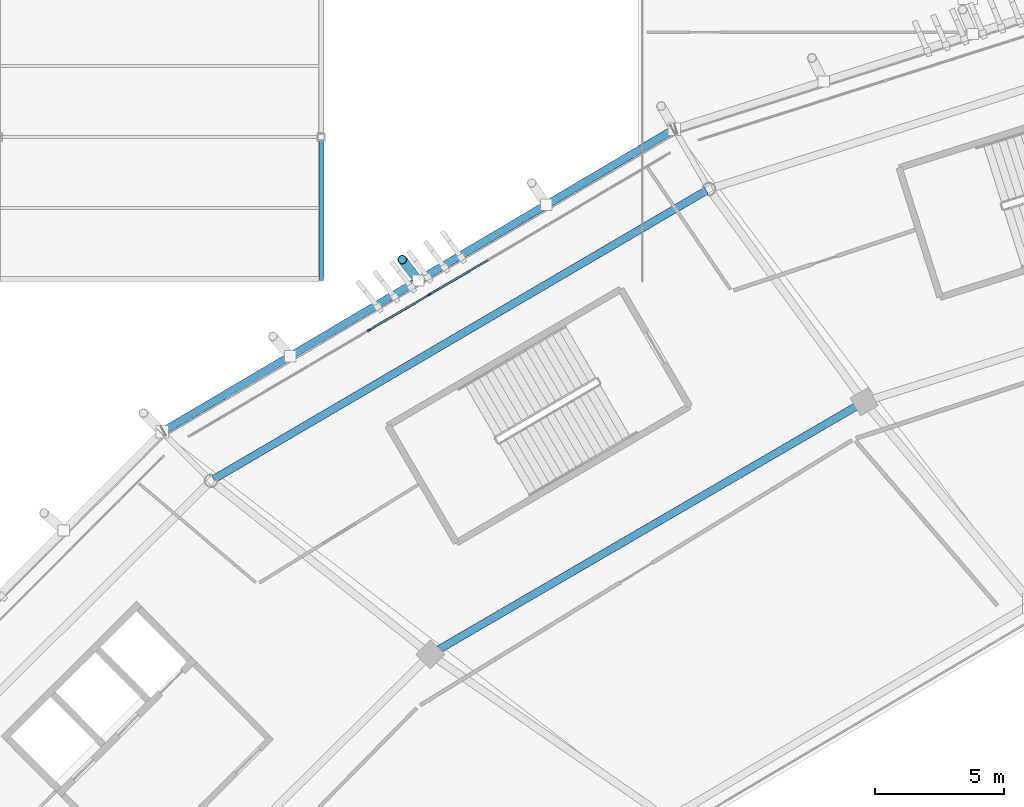
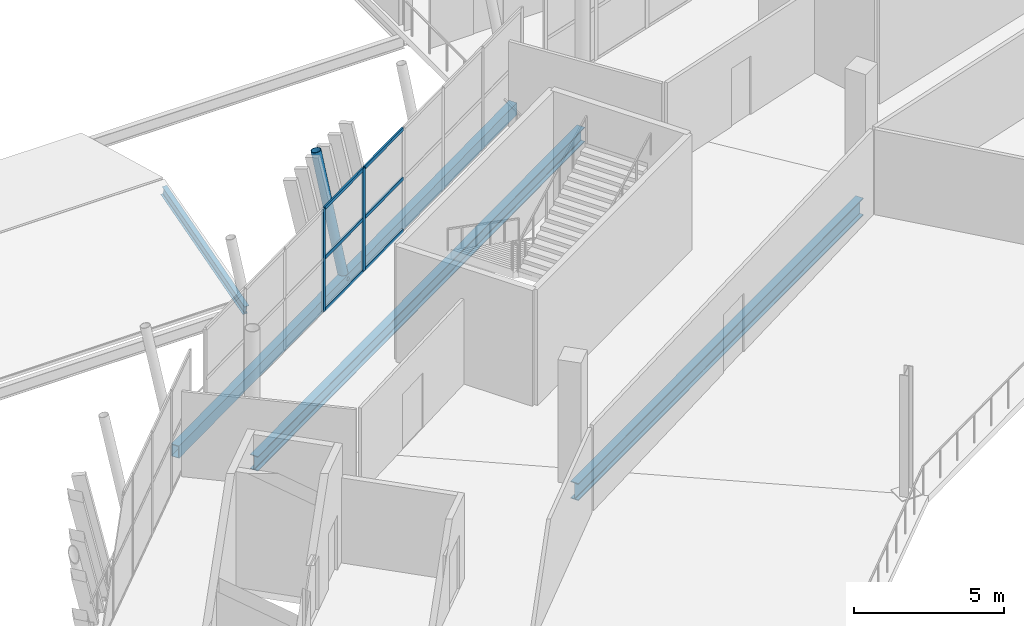
# One storey, part 71 of 179: 10 members, 3 beams, 1 element without a shape of its own.
"""IFC4 building model written with IfcOpenShell, lengths in metres."""

from ifc_helpers import new_model, si_unit, direction, frame, origin, origin_2d, place, context, subcontext, project, spatial, rectangle, hollow_rectangle, hollow_circle, i_section, extrude, material, material_profile, profile_set, type_object, element, aggregate, save


model = new_model("IFC4")

# Units and contexts
model_context = context("Model", 3, precision=1e-05, world=origin(), true_north=direction((0.0, 1.0)))
body_context = subcontext(model_context, "Body", "Model", "MODEL_VIEW")
ifc_project = project(units=[si_unit("LENGTHUNIT", "METRE"), si_unit("AREAUNIT", "SQUARE_METRE"), si_unit("VOLUMEUNIT", "CUBIC_METRE"), si_unit("PLANEANGLEUNIT", "RADIAN"), si_unit("MASSUNIT", "GRAM", prefix="KILO")], contexts=[model_context])

# Site, building, storey
site_placement = place(None, origin())
site = spatial("IfcSite", under=ifc_project, at=site_placement, CompositionType="ELEMENT")
building_placement = place(site_placement, origin())
building = spatial("IfcBuilding", under=site, at=building_placement, Name="Zlatoyarsky Gate Stadium", CompositionType="ELEMENT")
storey_placement = place(building_placement, frame((0.0, 0.0, 10.60009765625)))
storey = spatial("IfcBuildingStorey", under=building, at=storey_placement, Name="L02", CompositionType="ELEMENT", Elevation=10.60009765625)

# Curtain wall, members
ifc_material_1 = material(Name="Thermally broken anodised aluminium curtain wall", Category="aluminium")
curtain_wall_type = type_object("IfcCurtainWallType", Name="UNITISED HOSPITALITY GLAZING L02", PredefinedType="USERDEFINED", material=ifc_material_1)
curtain_wall_placement = place(storey_placement, origin())
curtain_wall = element("IfcCurtainWall", 1, at=curtain_wall_placement, inside=storey, type_object=curtain_wall_type, Name="Curtain wall CW-L02-08", ObjectType="UNITISED GLAZING", PredefinedType="USERDEFINED")
ifc_material_2 = material(Name="Anodised aluminium 6063-T6", Category="aluminium")
ifc_material_profile_1 = material_profile(ifc_material_2, rectangle(XDim=0.06494140625, YDim=0.159912109375, at=origin_2d()), Name="ALU 65X160")
ifc_profile_set_1 = profile_set([ifc_material_profile_1], Name="Anodised aluminium 6063-T6")
member_type_1 = type_object("IfcMemberType", Name="ALUMINIUM MULLION 65X160", PredefinedType="MULLION", material=ifc_profile_set_1)
member_1_placement = place(storey_placement, frame((53.677001953125, 137.400390625, 0.0), z_axis=(0.0, 0.0, 1.0), x_axis=(0.507882360945, -0.861426437626, 0.0)))
member_1 = element("IfcMember", 2, at=member_1_placement, type_object=member_type_1, Name="CW-UG2 mullion 5", PredefinedType="MULLION", context=body_context, shape_type="SweptSolid", body=[
    extrude(rectangle(XDim=0.06494140625, YDim=0.159912109375, at=origin_2d()), origin(), (0.0, 0.0, 1.0), 4.199951171875),
])
member_2_placement = place(storey_placement, frame((51.358154296875, 136.033203125, 0.0), z_axis=(0.0, 0.0, 1.0), x_axis=(0.507882360945, -0.861426437626, 0.0)))
member_2 = element("IfcMember", 3, at=member_2_placement, type_object=member_type_1, Name="CW-UG2 mullion 6", PredefinedType="MULLION", context=body_context, shape_type="SweptSolid", body=[
    extrude(rectangle(XDim=0.06494140625, YDim=0.159912109375, at=origin_2d()), origin(), (0.0, 0.0, 1.0), 4.199951171875),
])
ifc_material_profile_2 = material_profile(ifc_material_2, rectangle(XDim=0.06494140625, YDim=0.139892578125, at=origin_2d()), Name="ALU 65X140")
ifc_profile_set_2 = profile_set([ifc_material_profile_2], Name="Anodised aluminium 6063-T6")
member_type_2 = type_object("IfcMemberType", Name="ALUMINIUM TRANSOM 65X140", PredefinedType="USERDEFINED", material=ifc_profile_set_2)
member_3_placement = place(storey_placement, frame((55.9677734375, 138.7509765625, 0.032470703125), z_axis=(-0.861436807081, -0.507864772755, 0.0), x_axis=(0.507864772755, -0.861436807081, 0.0)))
member_3 = element("IfcMember", 4, at=member_3_placement, type_object=member_type_2, Name="CW-UG2 transom 4.1", ObjectType="TRANSOM", PredefinedType="USERDEFINED", context=body_context, shape_type="SweptSolid", body=[
    extrude(rectangle(XDim=0.06494140625, YDim=0.139892578125, at=origin_2d()), origin(), (0.0, 0.0, 1.0), 2.626708984375),
])
member_4_placement = place(storey_placement, frame((55.9677734375, 138.7509765625, 2.14990234375), z_axis=(-0.861436807081, -0.507864772755, 0.0), x_axis=(0.507864772755, -0.861436807081, 0.0)))
member_4 = element("IfcMember", 5, at=member_4_placement, type_object=member_type_2, Name="CW-UG2 transom 4.2", ObjectType="TRANSOM", PredefinedType="USERDEFINED", context=body_context, shape_type="SweptSolid", body=[
    extrude(rectangle(XDim=0.06494140625, YDim=0.139892578125, at=origin_2d()), origin(), (0.0, 0.0, 1.0), 2.626708984375),
])
member_5_placement = place(storey_placement, frame((55.9677734375, 138.7509765625, 4.16748046875), z_axis=(-0.861436807081, -0.507864772755, 0.0), x_axis=(0.507864772755, -0.861436807081, 0.0)))
member_5 = element("IfcMember", 6, at=member_5_placement, type_object=member_type_2, Name="CW-UG2 transom 4.3", ObjectType="TRANSOM", PredefinedType="USERDEFINED", context=body_context, shape_type="SweptSolid", body=[
    extrude(rectangle(XDim=0.06494140625, YDim=0.139892578125, at=origin_2d()), origin(), (0.0, 0.0, 1.0), 2.626708984375),
])
member_6_placement = place(storey_placement, frame((53.64892578125, 137.3837890625, 0.032470703125), z_axis=(-0.861436807081, -0.507864772755, 0.0), x_axis=(0.507864772755, -0.861436807081, 0.0)))
member_6 = element("IfcMember", 7, at=member_6_placement, type_object=member_type_2, Name="CW-UG2 transom 5.1", ObjectType="TRANSOM", PredefinedType="USERDEFINED", context=body_context, shape_type="SweptSolid", body=[
    extrude(rectangle(XDim=0.06494140625, YDim=0.139892578125, at=origin_2d()), origin(), (0.0, 0.0, 1.0), 2.626708984375),
])
member_7_placement = place(storey_placement, frame((53.64892578125, 137.3837890625, 2.14990234375), z_axis=(-0.861436807081, -0.507864772755, 0.0), x_axis=(0.507864772755, -0.861436807081, 0.0)))
member_7 = element("IfcMember", 8, at=member_7_placement, type_object=member_type_2, Name="CW-UG2 transom 5.2", ObjectType="TRANSOM", PredefinedType="USERDEFINED", context=body_context, shape_type="SweptSolid", body=[
    extrude(rectangle(XDim=0.06494140625, YDim=0.139892578125, at=origin_2d()), origin(), (0.0, 0.0, 1.0), 2.626708984375),
])
member_8_placement = place(storey_placement, frame((53.64892578125, 137.3837890625, 4.16748046875), z_axis=(-0.861436807081, -0.507864772755, 0.0), x_axis=(0.507864772755, -0.861436807081, 0.0)))
member_8 = element("IfcMember", 9, at=member_8_placement, type_object=member_type_2, Name="CW-UG2 transom 5.3", ObjectType="TRANSOM", PredefinedType="USERDEFINED", context=body_context, shape_type="SweptSolid", body=[
    extrude(rectangle(XDim=0.06494140625, YDim=0.139892578125, at=origin_2d()), origin(), (0.0, 0.0, 1.0), 2.626708984375),
])
aggregate(curtain_wall, [member_1, member_2, member_3, member_4, member_5, member_6, member_7, member_8])

# Member
ifc_material_3 = material(Name="Steel S355", Category="steel")
ifc_material_profile_3 = material_profile(ifc_material_3, hollow_circle(Radius=0.177734375, WallThickness=0.02001953125, at=origin_2d()), Name="CHS 355.6X20")
ifc_profile_set_3 = profile_set([ifc_material_profile_3], Name="Steel S355")
member_type_3 = type_object("IfcMemberType", Name="STEEL LEANING RIB RING STRUT CHS 355.6X20", PredefinedType="STRUT", material=ifc_profile_set_3)
member_9_placement = place(storey_placement, frame((53.25439453125, 137.950927734375, -0.530029296875), z_axis=(-0.121388529954, 0.158230929664, 0.979912137742), x_axis=(-0.793417106394, -0.608678318392, 0.0)))
element("IfcMember", 10, at=member_9_placement, inside=storey, type_object=member_type_3, Name="Outward-leaning bowl louvre fin rib L02 08-2", PredefinedType="STRUT", context=body_context, shape_type="SweptSolid", body=[
    extrude(hollow_circle(Radius=0.177734375, WallThickness=0.02001953125, at=origin_2d()), origin(), (0.0, 0.0, 1.0), 5.1025390625),
])

# Beam
ifc_material_profile_4 = material_profile(ifc_material_3, hollow_rectangle(XDim=0.300048828125, YDim=0.5, WallThickness=0.02001953125, at=origin_2d()), Name="RHS 500X300X20")
ifc_profile_set_4 = profile_set([ifc_material_profile_4], Name="Steel S355")
beam_type_1 = type_object("IfcBeamType", Name="STEEL LOUVRE CARRIER SPANDREL RHS 500X300X20", PredefinedType="SPANDREL", material=ifc_profile_set_4)
beam_1_placement = place(storey_placement, frame((63.14501953125, 143.794921875, -0.530029296875), z_axis=(-0.860941547283, -0.508703894384, 0.0), x_axis=(0.508703894384, -0.860941547283, 0.0)))
element("IfcBeam", 11, at=beam_1_placement, inside=storey, type_object=beam_type_1, Name="Beam SP-RHS500 BM-L02-SPD-08", PredefinedType="SPANDREL", context=body_context, shape_type="SweptSolid", body=[
    extrude(hollow_rectangle(XDim=0.300048828125, YDim=0.5, WallThickness=0.02001953125, at=origin_2d()), origin(), (0.0, 0.0, 1.0), 22.97607421875),
])

# Member
ifc_material_profile_5 = material_profile(ifc_material_3, i_section(OverallWidth=0.179931640625, OverallDepth=0.39990234375, WebThickness=0.008544921875, FlangeThickness=0.013427734375, FilletRadius=0.02099609375, at=origin_2d()), Name="IPE 400")
ifc_profile_set_5 = profile_set([ifc_material_profile_5], Name="Steel S355")
member_type_4 = type_object("IfcMemberType", Name="STEEL PAVILION ROOF RAFTER IPE 400", PredefinedType="RAFTER", material=ifc_profile_set_5)
member_10_placement = place(storey_placement, frame((49.5, 138.0, -0.5), z_axis=(0.0, 0.961598006641, 0.274461789005), x_axis=(-1.0, 0.0, 0.0)))
element("IfcMember", 12, at=member_10_placement, inside=storey, type_object=member_type_4, Name="V6_NW roof rafter 3A", PredefinedType="RAFTER", context=body_context, shape_type="SweptSolid", body=[
    extrude(i_section(OverallWidth=0.179931640625, OverallDepth=0.39990234375, WebThickness=0.008544921875, FlangeThickness=0.013427734375, FilletRadius=0.02099609375, at=origin_2d()), origin(), (0.0, 0.0, 1.0), 5.7197265625),
])

# Beams
ifc_material_profile_6 = material_profile(ifc_material_3, i_section(OverallWidth=0.300048828125, OverallDepth=0.60009765625, WebThickness=0.015380859375, FlangeThickness=0.030029296875, FilletRadius=0.027099609375, at=origin_2d()), Name="HEB 600")
ifc_profile_set_6 = profile_set([ifc_material_profile_6], Name="Steel S355")
beam_type_2 = type_object("IfcBeamType", Name="STEEL PRIMARY GIRDER HEB 600", PredefinedType="BEAM", material=ifc_profile_set_6)
beam_2_placement = place(storey_placement, frame((64.396484375, 141.427001953125, -0.580078125), z_axis=(-0.862854775092, -0.505451913738, 0.0), x_axis=(0.505451913738, -0.862854775092, 0.0)))
element("IfcBeam", 13, at=beam_2_placement, inside=storey, type_object=beam_type_2, Name="Beam G-HEB600 BM-L02-CRC-08", PredefinedType="BEAM", context=body_context, shape_type="SweptSolid", body=[
    extrude(i_section(OverallWidth=0.300048828125, OverallDepth=0.60009765625, WebThickness=0.015380859375, FlangeThickness=0.030029296875, FilletRadius=0.027099609375, at=origin_2d()), origin(), (0.0, 0.0, 1.0), 22.08251953125),
])
ifc_material_profile_7 = material_profile(ifc_material_3, i_section(OverallWidth=0.300048828125, OverallDepth=0.699951171875, WebThickness=0.01708984375, FlangeThickness=0.031982421875, FilletRadius=0.027099609375, at=origin_2d()), Name="HEB 700")
ifc_profile_set_7 = profile_set([ifc_material_profile_7], Name="Steel S355")
beam_type_3 = type_object("IfcBeamType", Name="STEEL PRIMARY GIRDER HEB 700", PredefinedType="BEAM", material=ifc_profile_set_7)
beam_3_placement = place(storey_placement, frame((70.396240234375, 133.2001953125, -0.630126953125), z_axis=(-0.864054462945, -0.503398336375, 0.0), x_axis=(0.503398336375, -0.864054462945, 0.0)))
element("IfcBeam", 14, at=beam_3_placement, inside=storey, type_object=beam_type_3, Name="Beam G-HEB700 BM-L02-CRB-08", PredefinedType="BEAM", context=body_context, shape_type="SweptSolid", body=[
    extrude(i_section(OverallWidth=0.300048828125, OverallDepth=0.699951171875, WebThickness=0.01708984375, FlangeThickness=0.031982421875, FilletRadius=0.027099609375, at=origin_2d()), origin(), (0.0, 0.0, 1.0), 19.1748046875),
])

save(model, "model.ifc")
